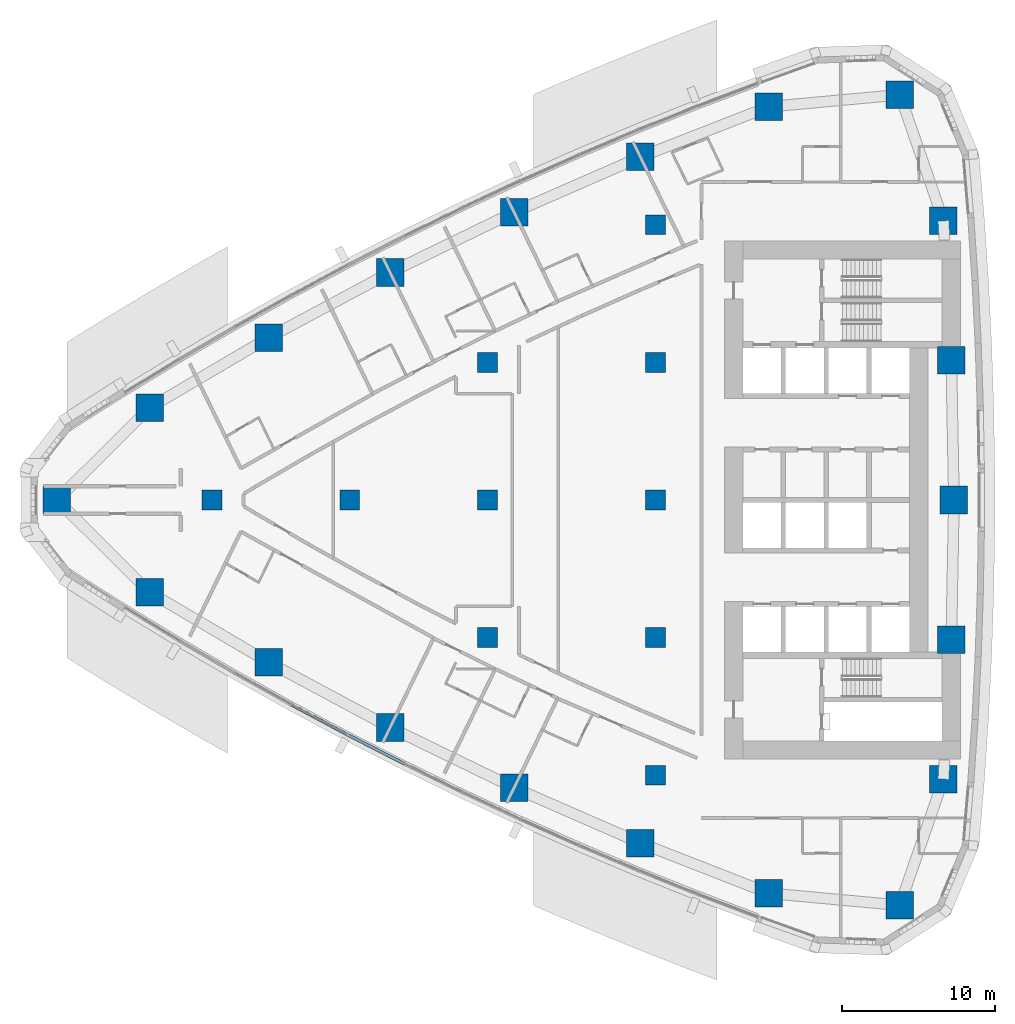
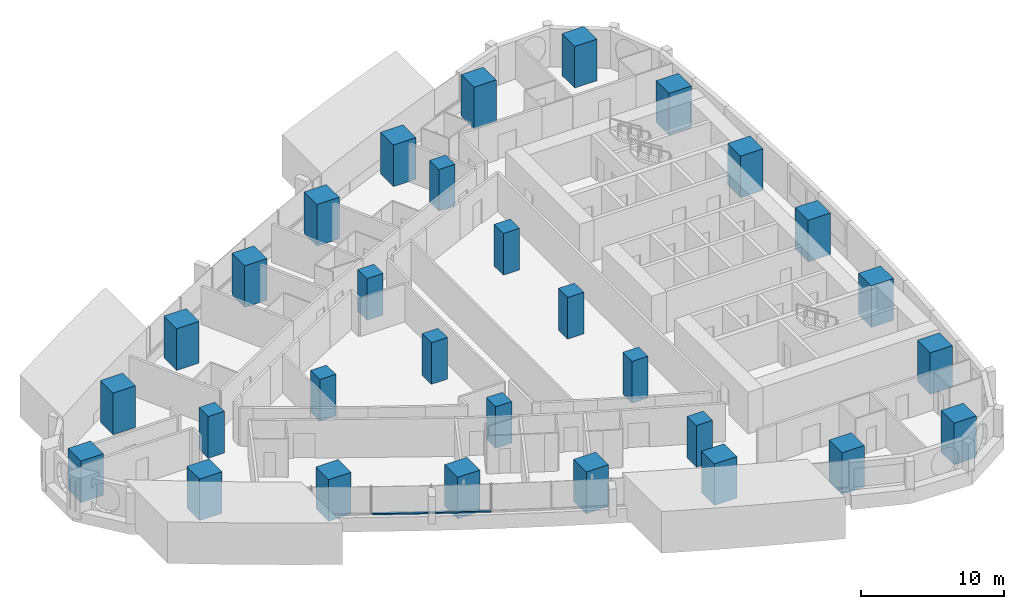
# One storey, part 1 of 19: 30 columns, 2 members, 1 element without a shape of its own.
"""IFC4 building model written with IfcOpenShell, lengths in metres."""

from ifc_helpers import new_model, si_unit, direction, frame, origin, origin_2d, place, context, subcontext, project, spatial, rectangle, extrude, material, layer, layer_set, material_profile, profile_set, type_object, element, aggregate, save


model = new_model("IFC4")

# Units and contexts
model_context = context("Model", 3, precision=1e-05, world=origin(), true_north=direction((0.0, 1.0)))
body_context = subcontext(model_context, "Body", "Model", "MODEL_VIEW")
ifc_project = project(units=[si_unit("LENGTHUNIT", "METRE"), si_unit("AREAUNIT", "SQUARE_METRE"), si_unit("VOLUMEUNIT", "CUBIC_METRE"), si_unit("PLANEANGLEUNIT", "RADIAN"), si_unit("MASSUNIT", "GRAM", prefix="KILO")], contexts=[model_context])

# Site, building, storey
site_placement = place(None, origin())
site = spatial("IfcSite", under=ifc_project, at=site_placement, CompositionType="ELEMENT")
building_placement = place(site_placement, origin())
building = spatial("IfcBuilding", under=site, at=building_placement, Name="Ostrand Prow Hotel Tower", CompositionType="ELEMENT")
storey_placement = place(building_placement, frame((0.0, 0.0, 43.14990234375)))
storey = spatial("IfcBuildingStorey", under=building, at=storey_placement, Name="L08", CompositionType="ELEMENT", Elevation=43.14990234375)

# Columns
ifc_material_1 = material(Name="Concrete C80/95", Category="concrete")
ifc_material_profile_1 = material_profile(ifc_material_1, rectangle(XDim=1.300048828125, YDim=1.300048828125, at=origin_2d()), Name="RC 1300x1300")
ifc_profile_set_1 = profile_set([ifc_material_profile_1], Name="Concrete C80/95")
column_type_1 = type_object("IfcColumnType", Name="Interior column 1300x1300 C80/95", PredefinedType="COLUMN", material=ifc_profile_set_1)
for number, where, z_axis, x_axis, name in (
    (1, (16.0, 0.0, 0.0), (0.0, 0.0, 1.0), (1.0, 0.0, 0.0), "Interior column 16C0"),
    (2, (25.0, 0.0, 0.0), (0.0, 0.0, 1.0), (1.0, 0.0, 0.0), "Interior column 25C0"),
    (3, (34.0, -9.0, 0.0), (0.0, 0.0, 1.0), (1.0, 0.0, 0.0), "Interior column 34S9"),
    (4, (34.0, 0.0, 0.0), (0.0, 0.0, 1.0), (1.0, 0.0, 0.0), "Interior column 34C0"),
    (5, (34.0, 9.0, 0.0), (0.0, 0.0, 1.0), (1.0, 0.0, 0.0), "Interior column 34N9"),
    (6, (45.0, -18.0, 0.0), (0.0, 0.0, 1.0), (1.0, 0.0, 0.0), "Interior column 45S18"),
    (7, (45.0, -9.0, 0.0), (0.0, 0.0, 1.0), (1.0, 0.0, 0.0), "Interior column 45S9"),
    (8, (45.0, 0.0, 0.0), (0.0, 0.0, 1.0), (1.0, 0.0, 0.0), "Interior column 45C0"),
    (9, (45.0, 9.0, 0.0), (0.0, 0.0, 1.0), (1.0, 0.0, 0.0), "Interior column 45N9"),
    (10, (45.0, 18.0, 0.0), (0.0, 0.0, 1.0), (1.0, 0.0, 0.0), "Interior column 45N18"),
):
    element("IfcColumn", number, at=place(storey_placement, frame(where, z_axis=z_axis, x_axis=x_axis)), inside=storey, type_object=column_type_1, Name=name, PredefinedType="COLUMN", context=body_context, shape_type="SweptSolid", body=[
        extrude(rectangle(XDim=1.300048828125, YDim=1.300048828125, at=origin_2d()), origin(), (0.0, 0.0, 1.0), 3.550048828125),
    ])
ifc_material_2 = material(Name="Concrete C80/95", Category="concrete")
ifc_material_profile_2 = material_profile(ifc_material_2, rectangle(XDim=1.800048828125, YDim=1.800048828125, at=origin_2d()), Name="RC 1800x1800")
ifc_profile_set_2 = profile_set([ifc_material_profile_2], Name="Concrete C80/95")
column_type_2 = type_object("IfcColumnType", Name="Stone-faced mega column 1800x1800 C80/95", PredefinedType="COLUMN", material=ifc_profile_set_2)
for number, where, z_axis, x_axis, name in (
    (11, (5.848388671875, 0.0, 0.0), (0.0, 0.0, 1.0), (1.0, 0.0, 0.0), "Mega column P"),
    (12, (11.926513671875, -6.0419921875, 0.0), (0.0, 0.0, 1.0), (1.0, 0.0, 0.0), "Mega column S1"),
    (13, (19.69287109375, -10.61474609375, 0.0), (0.0, 0.0, 1.0), (1.0, 0.0, 0.0), "Mega column S2"),
    (14, (27.635498046875, -14.874267578125, 0.0), (0.0, 0.0, 1.0), (1.0, 0.0, 0.0), "Mega column S3"),
    (15, (35.7412109375, -18.814208984375, 0.0), (0.0, 0.0, 1.0), (1.0, 0.0, 0.0), "Mega column S4"),
    (16, (43.997802734375, -22.427978515625, 0.0), (0.0, 0.0, 1.0), (1.0, 0.0, 0.0), "Mega column S5"),
    (17, (52.3916015625, -25.710205078125, 0.0), (0.0, 0.0, 1.0), (1.0, 0.0, 0.0), "Mega column S6"),
    (18, (60.966064453125, -26.49853515625, 0.0), (0.0, 0.0, 1.0), (1.0, 0.0, 0.0), "Mega column SE"),
    (19, (63.8134765625, -18.248779296875, 0.0), (0.0, 0.0, 1.0), (1.0, 0.0, 0.0), "Mega column B1"),
    (20, (64.328369140625, -9.130859375, 0.0), (0.0, 0.0, 1.0), (1.0, 0.0, 0.0), "Mega column B2"),
    (21, (64.5, 0.0, 0.0), (0.0, 0.0, 1.0), (1.0, 0.0, 0.0), "Mega column B3"),
    (22, (64.328369140625, 9.130859375, 0.0), (0.0, 0.0, 1.0), (1.0, 0.0, 0.0), "Mega column B4"),
    (23, (63.8134765625, 18.248779296875, 0.0), (0.0, 0.0, 1.0), (1.0, 0.0, 0.0), "Mega column B5"),
    (24, (60.966064453125, 26.49853515625, 0.0), (0.0, 0.0, 1.0), (1.0, 0.0, 0.0), "Mega column NE"),
    (25, (52.3916015625, 25.710205078125, 0.0), (0.0, 0.0, 1.0), (1.0, 0.0, 0.0), "Mega column N1"),
    (26, (43.997802734375, 22.427978515625, 0.0), (0.0, 0.0, 1.0), (1.0, 0.0, 0.0), "Mega column N2"),
    (27, (35.7412109375, 18.814208984375, 0.0), (0.0, 0.0, 1.0), (1.0, 0.0, 0.0), "Mega column N3"),
    (28, (27.635498046875, 14.874267578125, 0.0), (0.0, 0.0, 1.0), (1.0, 0.0, 0.0), "Mega column N4"),
    (29, (19.69287109375, 10.61474609375, 0.0), (0.0, 0.0, 1.0), (1.0, 0.0, 0.0), "Mega column N5"),
    (30, (11.926513671875, 6.0419921875, 0.0), (0.0, 0.0, 1.0), (1.0, 0.0, 0.0), "Mega column N6"),
):
    element("IfcColumn", number, at=place(storey_placement, frame(where, z_axis=z_axis, x_axis=x_axis)), inside=storey, type_object=column_type_2, Name=name, PredefinedType="COLUMN", context=body_context, shape_type="SweptSolid", body=[
        extrude(rectangle(XDim=1.800048828125, YDim=1.800048828125, at=origin_2d()), origin(), (0.0, 0.0, 1.0), 3.550048828125),
    ])

# Curtain wall, members
ifc_material_3 = material(Name="Insulated glass in bronze anodised frame", Category="glass")
ifc_layer = layer(ifc_material_3, 0.199951171875)
ifc_layer_set = layer_set([ifc_layer], Name="Insulated glass in bronze anodised frame")
curtain_wall_type = type_object("IfcCurtainWallType", Name="Strip curtain wall, fritted glass over bronze spandrel", PredefinedType="NOTDEFINED", material=ifc_layer_set)
curtain_wall_placement = place(storey_placement, origin())
curtain_wall = element("IfcCurtainWall", 31, at=curtain_wall_placement, inside=storey, type_object=curtain_wall_type, Name="CW1 run CWS2", PredefinedType="NOTDEFINED")
ifc_material_4 = material(Name="Bronze anodised aluminium", Category="aluminium")
ifc_material_profile_3 = material_profile(ifc_material_4, rectangle(XDim=0.199951171875, YDim=0.1201171875, at=origin_2d()), Name="Transom 120x200 bronze anodised aluminium")
ifc_profile_set_3 = profile_set([ifc_material_profile_3], Name="Bronze anodised aluminium")
member_type = type_object("IfcMemberType", Name="Transom 120x200 bronze anodised aluminium", PredefinedType="USERDEFINED", material=ifc_profile_set_3)
member_1_placement = place(storey_placement, frame((21.187255859375, -13.386962890625, 0.960205078125), z_axis=(0.881657241639, -0.471890356191, 0.0), x_axis=(0.471890356191, 0.881657241639, 0.0)))
member_1 = element("IfcMember", 32, at=member_1_placement, type_object=member_type, Name="CW1 transom 2.1", ObjectType="TRANSOM", PredefinedType="USERDEFINED", context=body_context, shape_type="SweptSolid", body=[
    extrude(rectangle(XDim=0.199951171875, YDim=0.1201171875, at=origin_2d()), origin(), (0.0, 0.0, 1.0), 4.13427734375),
])
member_2_placement = place(storey_placement, frame((24.885498046875, -15.36572265625, 0.960205078125), z_axis=(0.890182999343, -0.455603147136, 0.0), x_axis=(0.455603147136, 0.890182999343, 0.0)))
member_2 = element("IfcMember", 33, at=member_2_placement, type_object=member_type, Name="CW1 transom 3.1", ObjectType="TRANSOM", PredefinedType="USERDEFINED", context=body_context, shape_type="SweptSolid", body=[
    extrude(rectangle(XDim=0.199951171875, YDim=0.1201171875, at=origin_2d()), origin(), (0.0, 0.0, 1.0), 4.13427734375),
])
aggregate(curtain_wall, [member_1, member_2])

save(model, "model.ifc")
